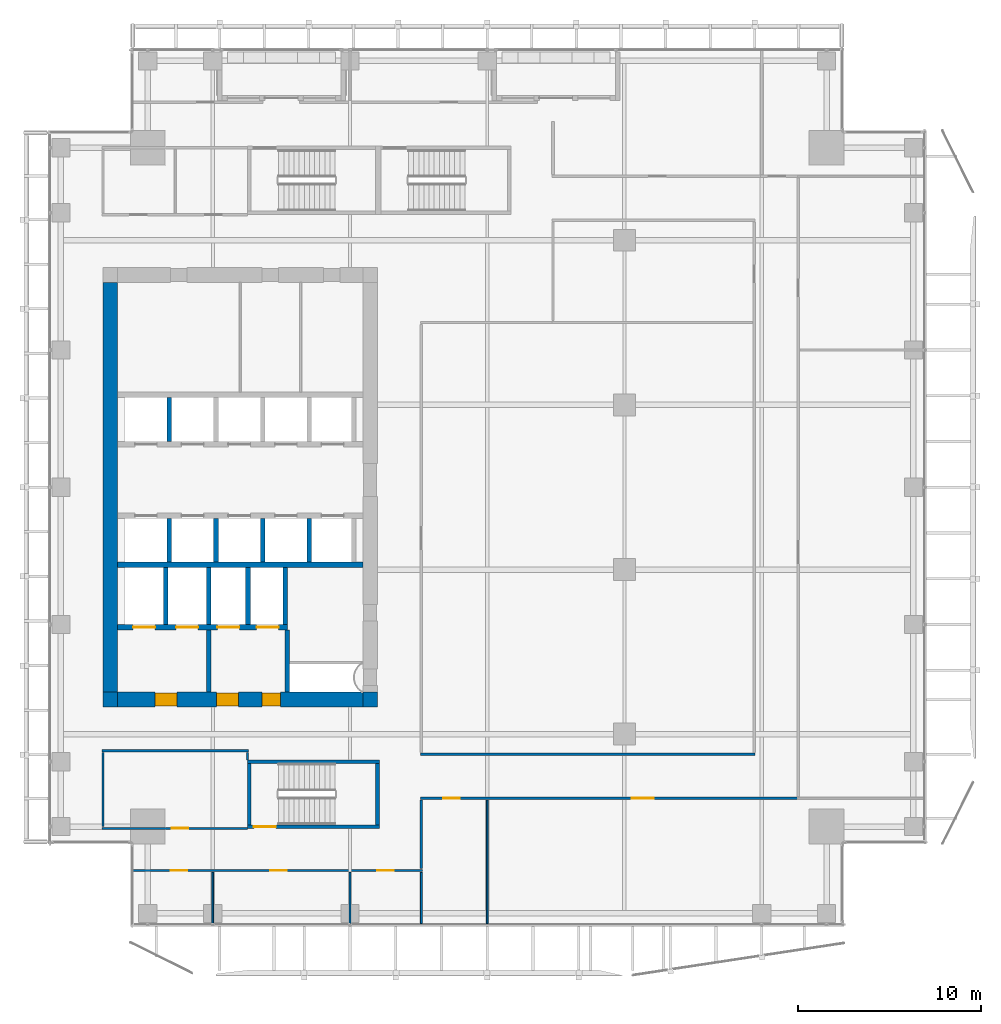
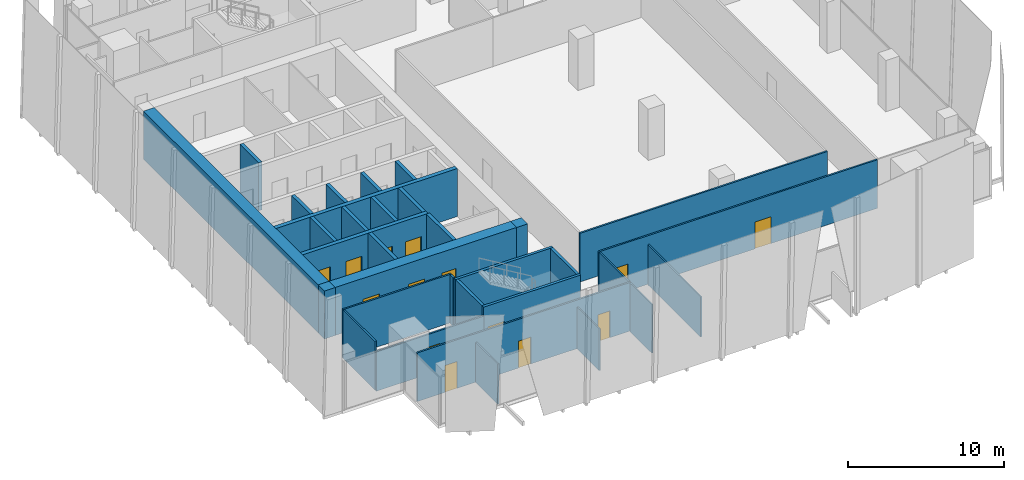
# One storey, part 28 of 35: 33 walls, 14 doors, 14 openings.
"""IFC4 building model written with IfcOpenShell, lengths in metres."""

from ifc_helpers import new_model, si_unit, direction, frame, frame_2d, origin, place, context, subcontext, project, spatial, rectangle, extrude, source, transform, mapped, material, layer, layer_set, type_object, element, fill, save


model = new_model("IFC4")

# Units and contexts
model_context = context("Model", 3, precision=1e-05, world=origin(), true_north=direction((0.0, 1.0)))
body_context = subcontext(model_context, "Body", "Model", "MODEL_VIEW")
ifc_project = project(units=[si_unit("LENGTHUNIT", "METRE"), si_unit("AREAUNIT", "SQUARE_METRE"), si_unit("VOLUMEUNIT", "CUBIC_METRE"), si_unit("PLANEANGLEUNIT", "RADIAN"), si_unit("MASSUNIT", "GRAM", prefix="KILO")], contexts=[model_context])

# Site, building, storey
site_placement = place(None, origin())
site = spatial("IfcSite", under=ifc_project, at=site_placement, CompositionType="ELEMENT")
building_placement = place(site_placement, origin())
building = spatial("IfcBuilding", under=site, at=building_placement, Name="Khomas Fold Tower", CompositionType="ELEMENT")
storey_placement = place(building_placement, frame((0.0, 0.0, 212.699951171875)))
storey = spatial("IfcBuildingStorey", under=building, at=storey_placement, Name="L47", CompositionType="ELEMENT", Elevation=212.699951171875)

# Wall, openings, doors
ifc_material_1 = material(Name="Concrete C60/75", Category="concrete")
ifc_layer_1 = layer(ifc_material_1, 0.800048828125)
ifc_layer_set_1 = layer_set([ifc_layer_1], Name="Concrete C60/75")
wall_type_1 = type_object("IfcWallType", Name="Core wall 800", PredefinedType="SHEAR", material=ifc_layer_set_1)
shared_shape_1 = source(origin(), body_context, "Body", "SweptSolid", [
    extrude(rectangle(XDim=13.39990234375, YDim=0.800048828125, at=frame_2d((6.699951171875, 0.0))), origin(), (0.0, 0.0, 1.0), 3.75),
])
wall_1_placement = place(storey_placement, frame((6.800048828125, 15.39990234375, 0.0), z_axis=(0.0, 0.0, 1.0), x_axis=(1.0, 0.0, 0.0)))
wall_1 = element("IfcWall", 1, at=wall_1_placement, inside=storey, type_object=wall_type_1, Name="Core wall CW-U-S-L35", PredefinedType="SHEAR", context=body_context, shape_type="MappedRepresentation", body=[
    mapped(shared_shape_1, transform((0.0, 0.0, 0.0))),
])
shared_shape_2 = source(origin(), body_context, "Body", "SweptSolid", [
    extrude(rectangle(XDim=1.199951171875, YDim=2.10009765625, at=frame_2d((0.60009765625, 1.050048828125))), frame((0.0, 0.409912109375, 0.0), z_axis=(0.0, -1.0, 0.0), x_axis=(1.0, 0.0, 0.0)), (0.0, 0.0, 1.0), 0.820068359375),
])
opening_1_placement = place(wall_1_placement, frame((5.39990234375, 0.0, 0.0)))
opening_1 = element("IfcOpeningElement", 2, at=opening_1_placement, cuts=wall_1, Name="Opening 0009", PredefinedType="OPENING", context=body_context, shape_type="MappedRepresentation", body=[
    mapped(shared_shape_2, transform((0.0, 0.0, 0.0))),
])
opening_2_placement = place(wall_1_placement, frame((2.050048828125, 0.0, 0.0)))
opening_2 = element("IfcOpeningElement", 3, at=opening_2_placement, cuts=wall_1, Name="Opening 0009", PredefinedType="OPENING", context=body_context, shape_type="MappedRepresentation", body=[
    mapped(shared_shape_2, transform((0.0, 0.0, 0.0))),
])
shared_shape_3 = source(origin(), body_context, "Body", "SweptSolid", [
    extrude(rectangle(XDim=1.0, YDim=2.10009765625, at=frame_2d((0.5, 1.050048828125))), frame((0.0, 0.409912109375, 0.0), z_axis=(0.0, -1.0, 0.0), x_axis=(1.0, 0.0, 0.0)), (0.0, 0.0, 1.0), 0.820068359375),
])
opening_3_placement = place(wall_1_placement, frame((7.89990234375, 0.0, 0.0)))
opening_3 = element("IfcOpeningElement", 4, at=opening_3_placement, cuts=wall_1, Name="Opening 0010", PredefinedType="OPENING", context=body_context, shape_type="MappedRepresentation", body=[
    mapped(shared_shape_3, transform((0.0, 0.0, 0.0))),
])
ifc_material_2 = material(Name="Steel door leaf", Category="steel")
door_type_1 = type_object("IfcDoorType", Name="Lobby door 1200x2100 right-hand", OperationType="SINGLE_SWING_RIGHT", PredefinedType="DOOR", material=ifc_material_2)
shared_shape_4 = source(origin(), body_context, "Body", "SweptSolid", [
    extrude(rectangle(XDim=1.199951171875, YDim=2.10009765625, at=frame_2d((0.60009765625, 1.050048828125))), frame((0.0, 0.35009765625, 0.0), z_axis=(0.0, -1.0, 0.0), x_axis=(1.0, 0.0, 0.0)), (0.0, 0.0, 1.0), 0.699951171875),
])
door_1_placement = place(opening_1_placement, origin())
door_1 = element("IfcDoor", 5, at=door_1_placement, inside=storey, type_object=door_type_1, Name="Lobby door", OperationType="SINGLE_SWING_RIGHT", OverallHeight=2.10009765625, OverallWidth=1.199951171875, PredefinedType="DOOR", context=body_context, shape_type="MappedRepresentation", body=[
    mapped(shared_shape_4, transform((0.0, 0.0, 0.0))),
])
fill(opening_1, door_1)
door_2_placement = place(opening_2_placement, origin())
door_2 = element("IfcDoor", 6, at=door_2_placement, inside=storey, type_object=door_type_1, Name="Lobby door", OperationType="SINGLE_SWING_RIGHT", OverallHeight=2.10009765625, OverallWidth=1.199951171875, PredefinedType="DOOR", context=body_context, shape_type="MappedRepresentation", body=[
    mapped(shared_shape_4, transform((0.0, 0.0, 0.0))),
])
fill(opening_2, door_2)
ifc_material_3 = material(Name="Steel door leaf", Category="steel")
door_type_2 = type_object("IfcDoorType", Name="Stair door 1000x2100 right-hand", OperationType="SINGLE_SWING_RIGHT", PredefinedType="DOOR", material=ifc_material_3)
shared_shape_5 = source(origin(), body_context, "Body", "SweptSolid", [
    extrude(rectangle(XDim=1.0, YDim=2.10009765625, at=frame_2d((0.5, 1.050048828125))), frame((0.0, 0.35009765625, 0.0), z_axis=(0.0, -1.0, 0.0), x_axis=(1.0, 0.0, 0.0)), (0.0, 0.0, 1.0), 0.699951171875),
])
door_3_placement = place(opening_3_placement, origin())
door_3 = element("IfcDoor", 7, at=door_3_placement, inside=storey, type_object=door_type_2, Name="Stair door", OperationType="SINGLE_SWING_RIGHT", OverallHeight=2.10009765625, OverallWidth=1.0, PredefinedType="DOOR", context=body_context, shape_type="MappedRepresentation", body=[
    mapped(shared_shape_5, transform((0.0, 0.0, 0.0))),
])
fill(opening_3, door_3)

# Walls
ifc_material_4 = material(Name="Concrete C60/75", Category="concrete")
ifc_layer_2 = layer(ifc_material_4, 0.800048828125)
ifc_layer_set_2 = layer_set([ifc_layer_2], Name="Concrete C60/75")
wall_type_2 = type_object("IfcWallType", Name="Core corner wall 800", PredefinedType="SHEAR", material=ifc_layer_set_2)
shared_shape_6 = source(origin(), body_context, "Body", "SweptSolid", [
    extrude(rectangle(XDim=0.800048828125, YDim=0.800048828125, at=frame_2d((0.39990234375, 0.0))), origin(), (0.0, 0.0, 1.0), 3.75),
])
for number, where, z_axis, x_axis, name in (
    (8, (20.199951171875, 15.39990234375, 0.0), (0.0, 0.0, 1.0), (1.0, 0.0, 0.0), "Core wall CW-U-SE-L35"),
    (9, (6.0, 15.39990234375, 0.0), (0.0, 0.0, 1.0), (1.0, 0.0, 0.0), "Core wall CW-U-SW-L35"),
):
    element("IfcWall", number, at=place(storey_placement, frame(where, z_axis=z_axis, x_axis=x_axis)), inside=storey, type_object=wall_type_2, Name=name, PredefinedType="SHEAR", context=body_context, shape_type="MappedRepresentation", body=[
        mapped(shared_shape_6, transform((0.0, 0.0, 0.0))),
    ])
shared_shape_7 = source(origin(), body_context, "Body", "SweptSolid", [
    extrude(rectangle(XDim=22.39990234375, YDim=0.800048828125, at=frame_2d((11.199951171875, 0.0))), origin(), (0.0, 0.0, 1.0), 3.75),
])
wall_2_placement = place(storey_placement, frame((6.39990234375, 15.800048828125, 0.0), z_axis=(0.0, 0.0, 1.0), x_axis=(0.0, 1.0, 0.0)))
element("IfcWall", 10, at=wall_2_placement, inside=storey, type_object=wall_type_1, Name="Core wall CW-U-W-L35", PredefinedType="SHEAR", context=body_context, shape_type="MappedRepresentation", body=[
    mapped(shared_shape_7, transform((0.0, 0.0, 0.0))),
])
ifc_material_5 = material(Name="Concrete C50/60", Category="concrete")
ifc_layer_3 = layer(ifc_material_5, 0.199951171875)
ifc_layer_set_3 = layer_set([ifc_layer_3], Name="Concrete C50/60")
wall_type_3 = type_object("IfcWallType", Name="Stair wall 200", PredefinedType="SHEAR", material=ifc_layer_set_3)
shared_shape_8 = source(origin(), body_context, "Body", "SweptSolid", [
    extrude(rectangle(XDim=7.2001953125, YDim=0.199951171875, at=frame_2d((3.60009765625, 0.0))), origin(), (0.0, 0.0, 1.0), 3.75),
])
wall_3_placement = place(storey_placement, frame((13.89990234375, 12.0, 0.0), z_axis=(0.0, 0.0, 1.0), x_axis=(1.0, 0.0, 0.0)))
element("IfcWall", 11, at=wall_3_placement, inside=storey, type_object=wall_type_3, Name="Stair wall SW-ST2-NH", PredefinedType="SHEAR", context=body_context, shape_type="MappedRepresentation", body=[
    mapped(shared_shape_8, transform((0.0, 0.0, 0.0))),
])

# Wall, opening, door
wall_4_placement = place(storey_placement, frame((13.89990234375, 8.449951171875, 0.0), z_axis=(0.0, 0.0, 1.0), x_axis=(1.0, 0.0, 0.0)))
wall_4 = element("IfcWall", 12, at=wall_4_placement, inside=storey, type_object=wall_type_3, Name="Stair wall SW-ST2-S", PredefinedType="SHEAR", context=body_context, shape_type="MappedRepresentation", body=[
    mapped(shared_shape_8, transform((0.0, 0.0, 0.0))),
])
shared_shape_9 = source(origin(), body_context, "Body", "SweptSolid", [
    extrude(rectangle(XDim=1.199951171875, YDim=2.10009765625, at=frame_2d((0.60009765625, 1.050048828125))), frame((0.0, 0.10986328125, 0.0), z_axis=(0.0, -1.0, 0.0), x_axis=(1.0, 0.0, 0.0)), (0.0, 0.0, 1.0), 0.219970703125),
])
opening_4_placement = place(wall_4_placement, frame((0.35009765625, 0.0, 0.0)))
opening_4 = element("IfcOpeningElement", 13, at=opening_4_placement, cuts=wall_4, Name="Opening SD-ST2", PredefinedType="OPENING", context=body_context, shape_type="MappedRepresentation", body=[
    mapped(shared_shape_9, transform((0.0, 0.0, 0.0))),
])
ifc_material_6 = material(Name="Steel door leaf", Category="steel")
door_type_3 = type_object("IfcDoorType", Name="Stair door 1200x2100 right-hand", OperationType="SINGLE_SWING_RIGHT", PredefinedType="DOOR", material=ifc_material_6)
shared_shape_10 = source(origin(), body_context, "Body", "SweptSolid", [
    extrude(rectangle(XDim=1.199951171875, YDim=2.10009765625, at=frame_2d((0.60009765625, 1.050048828125))), frame((0.0, 0.02490234375, 0.0), z_axis=(0.0, -1.0, 0.0), x_axis=(1.0, 0.0, 0.0)), (0.0, 0.0, 1.0), 0.050048828125),
])
door_4_placement = place(opening_4_placement, origin())
door_4 = element("IfcDoor", 14, at=door_4_placement, inside=storey, type_object=door_type_3, Name="Stair door", OperationType="SINGLE_SWING_RIGHT", OverallHeight=2.10009765625, OverallWidth=1.199951171875, PredefinedType="DOOR", context=body_context, shape_type="MappedRepresentation", body=[
    mapped(shared_shape_10, transform((0.0, 0.0, 0.0))),
])
fill(opening_4, door_4)

# Walls
shared_shape_11 = source(origin(), body_context, "Body", "SweptSolid", [
    extrude(rectangle(XDim=3.349853515625, YDim=0.199951171875, at=frame_2d((1.6748046875, 0.0))), origin(), (0.0, 0.0, 1.0), 3.75),
])
for number, where, z_axis, x_axis, name in (
    (15, (21.0, 8.550048828125, 0.0), (0.0, 0.0, 1.0), (0.0, 1.0, 0.0), "Stair wall SW-ST2-E"),
    (16, (14.0, 8.550048828125, 0.0), (0.0, 0.0, 1.0), (0.0, 1.0, 0.0), "Stair wall SW-ST2-W"),
):
    element("IfcWall", number, at=place(storey_placement, frame(where, z_axis=z_axis, x_axis=x_axis)), inside=storey, type_object=wall_type_3, Name=name, PredefinedType="SHEAR", context=body_context, shape_type="MappedRepresentation", body=[
        mapped(shared_shape_11, transform((0.0, 0.0, 0.0))),
    ])
ifc_material_7 = material(Name="Concrete C50/60", Category="concrete")
ifc_layer_4 = layer(ifc_material_7, 0.300048828125)
ifc_layer_set_4 = layer_set([ifc_layer_4], Name="Concrete C50/60")
wall_type_4 = type_object("IfcWallType", Name="Shaft wall 300", PredefinedType="STANDARD", material=ifc_layer_set_4)
shared_shape_12 = source(origin(), body_context, "Body", "SweptSolid", [
    extrude(rectangle(XDim=13.39990234375, YDim=0.300048828125, at=frame_2d((6.699951171875, 0.0))), origin(), (0.0, 0.0, 1.0), 3.75),
])
wall_5_placement = place(storey_placement, frame((6.800048828125, 22.75, 0.0), z_axis=(0.0, 0.0, 1.0), x_axis=(1.0, 0.0, 0.0)))
element("IfcWall", 17, at=wall_5_placement, inside=storey, type_object=wall_type_4, Name="Core wall SW-FS-B", PredefinedType="STANDARD", context=body_context, shape_type="MappedRepresentation", body=[
    mapped(shared_shape_12, transform((0.0, 0.0, 0.0))),
])

# Wall, openings, doors
shared_shape_13 = source(origin(), body_context, "Body", "SweptSolid", [
    extrude(rectangle(XDim=9.27490234375, YDim=0.300048828125, at=frame_2d((4.637451171875, 0.0))), origin(), (0.0, 0.0, 1.0), 3.75),
])
wall_6_placement = place(storey_placement, frame((6.800048828125, 19.35009765625, 0.0), z_axis=(0.0, 0.0, 1.0), x_axis=(1.0, 0.0, 0.0)))
wall_6 = element("IfcWall", 18, at=wall_6_placement, inside=storey, type_object=wall_type_4, Name="Core wall SW-FS-F", PredefinedType="STANDARD", context=body_context, shape_type="MappedRepresentation", body=[
    mapped(shared_shape_13, transform((0.0, 0.0, 0.0))),
])
shared_shape_14 = source(origin(), body_context, "Body", "SweptSolid", [
    extrude(rectangle(XDim=1.199951171875, YDim=2.10009765625, at=frame_2d((0.60009765625, 1.050048828125))), frame((0.0, 0.159912109375, 0.0), z_axis=(0.0, -1.0, 0.0), x_axis=(1.0, 0.0, 0.0)), (0.0, 0.0, 1.0), 0.320068359375),
])
opening_5_placement = place(wall_6_placement, frame((0.85009765625, 0.0, 0.0)))
opening_5 = element("IfcOpeningElement", 19, at=opening_5_placement, cuts=wall_6, Name="Opening LD-SV1", PredefinedType="OPENING", context=body_context, shape_type="MappedRepresentation", body=[
    mapped(shared_shape_14, transform((0.0, 0.0, 0.0))),
])
opening_6_placement = place(wall_6_placement, frame((3.199951171875, 0.0, 0.0)))
opening_6 = element("IfcOpeningElement", 20, at=opening_6_placement, cuts=wall_6, Name="Opening LD-SV2", PredefinedType="OPENING", context=body_context, shape_type="MappedRepresentation", body=[
    mapped(shared_shape_14, transform((0.0, 0.0, 0.0))),
])
opening_7_placement = place(wall_6_placement, frame((5.449951171875, 0.0, 0.0)))
opening_7 = element("IfcOpeningElement", 21, at=opening_7_placement, cuts=wall_6, Name="Opening LD-FF1", PredefinedType="OPENING", context=body_context, shape_type="MappedRepresentation", body=[
    mapped(shared_shape_14, transform((0.0, 0.0, 0.0))),
])
opening_8_placement = place(wall_6_placement, frame((7.60009765625, 0.0, 0.0)))
opening_8 = element("IfcOpeningElement", 22, at=opening_8_placement, cuts=wall_6, Name="Opening LD-FF2", PredefinedType="OPENING", context=body_context, shape_type="MappedRepresentation", body=[
    mapped(shared_shape_14, transform((0.0, 0.0, 0.0))),
])
ifc_material_8 = material(Name="Steel door leaf", Category="steel")
door_type_4 = type_object("IfcDoorType", Name="Landing door 1200x2100", OperationType="DOUBLE_DOOR_SLIDING", PredefinedType="DOOR", material=ifc_material_8)
door_5_placement = place(opening_5_placement, origin())
door_5 = element("IfcDoor", 23, at=door_5_placement, inside=storey, type_object=door_type_4, Name="Lift landing door", OperationType="DOUBLE_DOOR_SLIDING", OverallHeight=2.10009765625, OverallWidth=1.199951171875, PredefinedType="DOOR", context=body_context, shape_type="MappedRepresentation", body=[
    mapped(shared_shape_10, transform((0.0, 0.0, 0.0))),
])
fill(opening_5, door_5)
door_6_placement = place(opening_6_placement, origin())
door_6 = element("IfcDoor", 24, at=door_6_placement, inside=storey, type_object=door_type_4, Name="Lift landing door", OperationType="DOUBLE_DOOR_SLIDING", OverallHeight=2.10009765625, OverallWidth=1.199951171875, PredefinedType="DOOR", context=body_context, shape_type="MappedRepresentation", body=[
    mapped(shared_shape_10, transform((0.0, 0.0, 0.0))),
])
fill(opening_6, door_6)
door_7_placement = place(opening_7_placement, origin())
door_7 = element("IfcDoor", 25, at=door_7_placement, inside=storey, type_object=door_type_4, Name="Lift landing door", OperationType="DOUBLE_DOOR_SLIDING", OverallHeight=2.10009765625, OverallWidth=1.199951171875, PredefinedType="DOOR", context=body_context, shape_type="MappedRepresentation", body=[
    mapped(shared_shape_10, transform((0.0, 0.0, 0.0))),
])
fill(opening_7, door_7)
door_8_placement = place(opening_8_placement, origin())
door_8 = element("IfcDoor", 26, at=door_8_placement, inside=storey, type_object=door_type_4, Name="Lift landing door", OperationType="DOUBLE_DOOR_SLIDING", OverallHeight=2.10009765625, OverallWidth=1.199951171875, PredefinedType="DOOR", context=body_context, shape_type="MappedRepresentation", body=[
    mapped(shared_shape_10, transform((0.0, 0.0, 0.0))),
])
fill(opening_8, door_8)

# Walls
ifc_material_9 = material(Name="Concrete C50/60", Category="concrete")
ifc_layer_5 = layer(ifc_material_9, 0.25)
ifc_layer_set_5 = layer_set([ifc_layer_5], Name="Concrete C50/60")
wall_type_5 = type_object("IfcWallType", Name="Shaft wall 250", PredefinedType="STANDARD", material=ifc_layer_set_5)
shared_shape_15 = source(origin(), body_context, "Body", "SweptSolid", [
    extrude(rectangle(XDim=3.10009765625, YDim=0.25, at=frame_2d((1.550048828125, 0.0))), origin(), (0.0, 0.0, 1.0), 3.75),
])
for number, where, z_axis, x_axis, name in (
    (27, (9.425048828125, 19.5, 0.0), (0.0, 0.0, 1.0), (0.0, 1.0, 0.0), "Core wall SW-FS-P1"),
    (28, (11.77490234375, 19.5, 0.0), (0.0, 0.0, 1.0), (0.0, 1.0, 0.0), "Core wall SW-FS-P2"),
    (29, (13.925048828125, 19.5, 0.0), (0.0, 0.0, 1.0), (0.0, 1.0, 0.0), "Core wall SW-FS-P3"),
    (30, (15.949951171875, 19.5, 0.0), (0.0, 0.0, 1.0), (0.0, 1.0, 0.0), "Core wall SW-FS-PE"),
):
    element("IfcWall", number, at=place(storey_placement, frame(where, z_axis=z_axis, x_axis=x_axis)), inside=storey, type_object=wall_type_5, Name=name, PredefinedType="STANDARD", context=body_context, shape_type="MappedRepresentation", body=[
        mapped(shared_shape_15, transform((0.0, 0.0, 0.0))),
    ])
shared_shape_16 = source(origin(), body_context, "Body", "SweptSolid", [
    extrude(rectangle(XDim=2.39990234375, YDim=0.25, at=frame_2d((1.199951171875, 0.0))), origin(), (0.0, 0.0, 1.0), 3.75),
])
wall_7_placement = place(storey_placement, frame((9.625, 29.5, 0.0), z_axis=(0.0, 0.0, 1.0), x_axis=(0.0, 1.0, 0.0)))
element("IfcWall", 31, at=wall_7_placement, inside=storey, type_object=wall_type_5, Name="Core wall SW-HRN-P1", PredefinedType="STANDARD", context=body_context, shape_type="MappedRepresentation", body=[
    mapped(shared_shape_16, transform((0.0, 0.0, 0.0))),
])
shared_shape_17 = source(origin(), body_context, "Body", "SweptSolid", [
    extrude(rectangle(XDim=2.400146484375, YDim=0.25, at=frame_2d((1.2001953125, 0.0))), origin(), (0.0, 0.0, 1.0), 3.75),
])
for number, where, z_axis, x_axis, name in (
    (32, (17.27490234375, 22.89990234375, 0.0), (0.0, 0.0, 1.0), (0.0, 1.0, 0.0), "Core wall SW-HRS-MR-P1"),
    (33, (9.625, 22.89990234375, 0.0), (0.0, 0.0, 1.0), (0.0, 1.0, 0.0), "Core wall SW-HRS-P1"),
    (34, (12.175048828125, 22.89990234375, 0.0), (0.0, 0.0, 1.0), (0.0, 1.0, 0.0), "Core wall SW-HRS-P2"),
    (35, (14.72509765625, 22.89990234375, 0.0), (0.0, 0.0, 1.0), (0.0, 1.0, 0.0), "Core wall SW-HRS-PE"),
):
    element("IfcWall", number, at=place(storey_placement, frame(where, z_axis=z_axis, x_axis=x_axis)), inside=storey, type_object=wall_type_5, Name=name, PredefinedType="STANDARD", context=body_context, shape_type="MappedRepresentation", body=[
        mapped(shared_shape_17, transform((0.0, 0.0, 0.0))),
    ])
ifc_material_10 = material(Name="Concrete C50/60", Category="concrete")
ifc_layer_6 = layer(ifc_material_10, 0.25)
ifc_layer_set_6 = layer_set([ifc_layer_6], Name="Concrete C50/60")
wall_type_6 = type_object("IfcWallType", Name="Lobby wall 250", PredefinedType="STANDARD", material=ifc_layer_set_6)
shared_shape_18 = source(origin(), body_context, "Body", "SweptSolid", [
    extrude(rectangle(XDim=3.39990234375, YDim=0.25, at=frame_2d((1.699951171875, 0.0))), origin(), (0.0, 0.0, 1.0), 3.75),
])
for number, where, z_axis, x_axis, name in (
    (36, (16.074951171875, 15.800048828125, 0.0), (0.0, 0.0, 1.0), (0.0, 1.0, 0.0), "Core wall SW-FS-LOB-E"),
    (37, (11.77490234375, 15.800048828125, 0.0), (0.0, 0.0, 1.0), (0.0, 1.0, 0.0), "Core wall SW-FS-SEP"),
):
    element("IfcWall", number, at=place(storey_placement, frame(where, z_axis=z_axis, x_axis=x_axis)), inside=storey, type_object=wall_type_6, Name=name, PredefinedType="STANDARD", context=body_context, shape_type="MappedRepresentation", body=[
        mapped(shared_shape_18, transform((0.0, 0.0, 0.0))),
    ])
ifc_material_11 = material(Name="Plasterboard partition")
ifc_layer_7 = layer(ifc_material_11, 0.125)
ifc_layer_set_7 = layer_set([ifc_layer_7], Name="Plasterboard partition")
wall_type_7 = type_object("IfcWallType", Name="Partition PW2 125", PredefinedType="PARTITIONING", material=ifc_layer_set_7)
shared_shape_19 = source(origin(), body_context, "Body", "SweptSolid", [
    extrude(rectangle(XDim=4.050048828125, YDim=0.125, at=frame_2d((2.02490234375, 0.0))), origin(), (0.0, 0.0, 1.0), 3.800048828125),
])
wall_8_placement = place(storey_placement, frame((6.0, 8.449951171875, 0.0), z_axis=(0.0, 0.0, 1.0), x_axis=(0.0, 1.0, 0.0)))
element("IfcWall", 38, at=wall_8_placement, inside=storey, type_object=wall_type_7, Name="Partition", PredefinedType="PARTITIONING", context=body_context, shape_type="MappedRepresentation", body=[
    mapped(shared_shape_19, transform((0.0, 0.0, 0.0))),
])
shared_shape_20 = source(origin(), body_context, "Body", "SweptSolid", [
    extrude(rectangle(XDim=0.39990234375, YDim=0.125, at=frame_2d((0.199951171875, 0.0))), origin(), (0.0, 0.0, 1.0), 3.800048828125),
])
wall_9_placement = place(storey_placement, frame((13.89990234375, 12.10009765625, 0.0), z_axis=(0.0, 0.0, 1.0), x_axis=(0.0, 1.0, 0.0)))
element("IfcWall", 39, at=wall_9_placement, inside=storey, type_object=wall_type_7, Name="Partition", PredefinedType="PARTITIONING", context=body_context, shape_type="MappedRepresentation", body=[
    mapped(shared_shape_20, transform((0.0, 0.0, 0.0))),
])
shared_shape_21 = source(origin(), body_context, "Body", "SweptSolid", [
    extrude(rectangle(XDim=8.0, YDim=0.125, at=frame_2d((4.0, 0.0))), origin(), (0.0, 0.0, 1.0), 3.800048828125),
])
wall_10_placement = place(storey_placement, frame((5.949951171875, 12.60009765625, 0.0), z_axis=(0.0, 0.0, 1.0), x_axis=(1.0, 0.0, 0.0)))
element("IfcWall", 40, at=wall_10_placement, inside=storey, type_object=wall_type_7, Name="Partition", PredefinedType="PARTITIONING", context=body_context, shape_type="MappedRepresentation", body=[
    mapped(shared_shape_21, transform((0.0, 0.0, 0.0))),
])
shared_shape_22 = source(origin(), body_context, "Body", "SweptSolid", [
    extrude(rectangle(XDim=18.2998046875, YDim=0.125, at=frame_2d((9.14990234375, 0.0))), origin(), (0.0, 0.0, 1.0), 3.800048828125),
])
wall_11_placement = place(storey_placement, frame((23.35009765625, 12.39990234375, 0.0), z_axis=(0.0, 0.0, 1.0), x_axis=(1.0, 0.0, 0.0)))
element("IfcWall", 41, at=wall_11_placement, inside=storey, type_object=wall_type_7, Name="Partition", PredefinedType="PARTITIONING", context=body_context, shape_type="MappedRepresentation", body=[
    mapped(shared_shape_22, transform((0.0, 0.0, 0.0))),
])
ifc_material_12 = material(Name="Plasterboard partition")
ifc_layer_8 = layer(ifc_material_12, 0.10009765625)
ifc_layer_set_8 = layer_set([ifc_layer_8], Name="Plasterboard partition")
wall_type_8 = type_object("IfcWallType", Name="Partition PW1 100", PredefinedType="PARTITIONING", material=ifc_layer_set_8)
shared_shape_23 = source(origin(), body_context, "Body", "SweptSolid", [
    extrude(rectangle(XDim=2.800048828125, YDim=0.10009765625, at=frame_2d((1.39990234375, 0.0))), origin(), (0.0, 0.0, 1.0), 3.800048828125),
])
wall_12_placement = place(storey_placement, frame((23.39990234375, 3.14990234375, 0.0), z_axis=(0.0, 0.0, 1.0), x_axis=(0.0, 1.0, 0.0)))
element("IfcWall", 42, at=wall_12_placement, inside=storey, type_object=wall_type_8, Name="Partition", PredefinedType="PARTITIONING", context=body_context, shape_type="MappedRepresentation", body=[
    mapped(shared_shape_23, transform((0.0, 0.0, 0.0))),
])

# Wall, openings, doors
shared_shape_24 = source(origin(), body_context, "Body", "SweptSolid", [
    extrude(rectangle(XDim=15.800048828125, YDim=0.125, at=frame_2d((7.89990234375, 0.0))), origin(), (0.0, 0.0, 1.0), 3.800048828125),
])
wall_13_placement = place(storey_placement, frame((7.64990234375, 6.050048828125, 0.0), z_axis=(0.0, 0.0, 1.0), x_axis=(1.0, 0.0, 0.0)))
wall_13 = element("IfcWall", 43, at=wall_13_placement, inside=storey, type_object=wall_type_7, Name="Partition", PredefinedType="PARTITIONING", context=body_context, shape_type="MappedRepresentation", body=[
    mapped(shared_shape_24, transform((0.0, 0.0, 0.0))),
])
shared_shape_25 = source(origin(), body_context, "Body", "SweptSolid", [
    extrude(rectangle(XDim=0.89990234375, YDim=2.10009765625, at=frame_2d((0.449951171875, 1.050048828125))), frame((0.0, 0.072509765625, 0.0), z_axis=(0.0, -1.0, 0.0), x_axis=(1.0, 0.0, 0.0)), (0.0, 0.0, 1.0), 0.14501953125),
])
opening_9_placement = place(wall_13_placement, frame((2.050048828125, 0.0, 0.0)))
opening_9 = element("IfcOpeningElement", 44, at=opening_9_placement, cuts=wall_13, Name="Opening 0008", PredefinedType="OPENING", context=body_context, shape_type="MappedRepresentation", body=[
    mapped(shared_shape_25, transform((0.0, 0.0, 0.0))),
])
opening_10_placement = place(wall_13_placement, frame((7.5, 0.0, 0.0)))
opening_10 = element("IfcOpeningElement", 45, at=opening_10_placement, cuts=wall_13, Name="Opening 0007", PredefinedType="OPENING", context=body_context, shape_type="MappedRepresentation", body=[
    mapped(shared_shape_25, transform((0.0, 0.0, 0.0))),
])
opening_11_placement = place(wall_13_placement, frame((13.35009765625, 0.0, 0.0)))
opening_11 = element("IfcOpeningElement", 46, at=opening_11_placement, cuts=wall_13, Name="Opening 0008", PredefinedType="OPENING", context=body_context, shape_type="MappedRepresentation", body=[
    mapped(shared_shape_25, transform((0.0, 0.0, 0.0))),
])
ifc_material_13 = material(Name="Timber door leaf", Category="wood")
door_type_5 = type_object("IfcDoorType", Name="Door 900x2100 right-hand", OperationType="SINGLE_SWING_RIGHT", PredefinedType="DOOR", material=ifc_material_13)
shared_shape_26 = source(origin(), body_context, "Body", "SweptSolid", [
    extrude(rectangle(XDim=0.89990234375, YDim=2.10009765625, at=frame_2d((0.449951171875, 1.050048828125))), frame((0.0, 0.02490234375, 0.0), z_axis=(0.0, -1.0, 0.0), x_axis=(1.0, 0.0, 0.0)), (0.0, 0.0, 1.0), 0.050048828125),
])
door_9_placement = place(opening_9_placement, origin())
door_9 = element("IfcDoor", 47, at=door_9_placement, inside=storey, type_object=door_type_5, Name="Door", OperationType="SINGLE_SWING_RIGHT", OverallHeight=2.10009765625, OverallWidth=0.89990234375, PredefinedType="DOOR", context=body_context, shape_type="MappedRepresentation", body=[
    mapped(shared_shape_26, transform((0.0, 0.0, 0.0))),
])
fill(opening_9, door_9)
ifc_material_14 = material(Name="Timber door leaf", Category="wood")
door_type_6 = type_object("IfcDoorType", Name="Door 900x2100 left-hand", OperationType="SINGLE_SWING_LEFT", PredefinedType="DOOR", material=ifc_material_14)
door_10_placement = place(opening_10_placement, origin())
door_10 = element("IfcDoor", 48, at=door_10_placement, inside=storey, type_object=door_type_6, Name="Door", OperationType="SINGLE_SWING_LEFT", OverallHeight=2.10009765625, OverallWidth=0.89990234375, PredefinedType="DOOR", context=body_context, shape_type="MappedRepresentation", body=[
    mapped(shared_shape_26, transform((0.0, 0.0, 0.0))),
])
fill(opening_10, door_10)
door_11_placement = place(opening_11_placement, origin())
door_11 = element("IfcDoor", 49, at=door_11_placement, inside=storey, type_object=door_type_5, Name="Door", OperationType="SINGLE_SWING_RIGHT", OverallHeight=2.10009765625, OverallWidth=0.89990234375, PredefinedType="DOOR", context=body_context, shape_type="MappedRepresentation", body=[
    mapped(shared_shape_26, transform((0.0, 0.0, 0.0))),
])
fill(opening_11, door_11)

# Wall
shared_shape_27 = source(origin(), body_context, "Body", "SweptSolid", [
    extrude(rectangle(XDim=3.75, YDim=0.125, at=frame_2d((1.875, 0.0))), origin(), (0.0, 0.0, 1.0), 3.800048828125),
])
wall_14_placement = place(storey_placement, frame((23.39990234375, 6.14990234375, 0.0), z_axis=(0.0, 0.0, 1.0), x_axis=(0.0, 1.0, 0.0)))
element("IfcWall", 50, at=wall_14_placement, inside=storey, type_object=wall_type_7, Name="Partition", PredefinedType="PARTITIONING", context=body_context, shape_type="MappedRepresentation", body=[
    mapped(shared_shape_27, transform((0.0, 0.0, 0.0))),
])

# Wall, openings, doors
shared_shape_28 = source(origin(), body_context, "Body", "SweptSolid", [
    extrude(rectangle(XDim=20.599853515625, YDim=0.125, at=frame_2d((10.2998046875, 0.0))), origin(), (0.0, 0.0, 1.0), 3.800048828125),
])
wall_15_placement = place(storey_placement, frame((23.35009765625, 10.0, 0.0), z_axis=(0.0, 0.0, 1.0), x_axis=(1.0, 0.0, 0.0)))
wall_15 = element("IfcWall", 51, at=wall_15_placement, inside=storey, type_object=wall_type_7, Name="Partition", PredefinedType="PARTITIONING", context=body_context, shape_type="MappedRepresentation", body=[
    mapped(shared_shape_28, transform((0.0, 0.0, 0.0))),
])
opening_12_placement = place(wall_15_placement, frame((1.25, 0.0, 0.0)))
opening_12 = element("IfcOpeningElement", 52, at=opening_12_placement, cuts=wall_15, Name="Opening 0007", PredefinedType="OPENING", context=body_context, shape_type="MappedRepresentation", body=[
    mapped(shared_shape_25, transform((0.0, 0.0, 0.0))),
])
shared_shape_29 = source(origin(), body_context, "Body", "SweptSolid", [
    extrude(rectangle(XDim=1.199951171875, YDim=2.10009765625, at=frame_2d((0.60009765625, 1.050048828125))), frame((0.0, 0.072509765625, 0.0), z_axis=(0.0, -1.0, 0.0), x_axis=(1.0, 0.0, 0.0)), (0.0, 0.0, 1.0), 0.14501953125),
])
opening_13_placement = place(wall_15_placement, frame((11.550048828125, 0.0, 0.0)))
opening_13 = element("IfcOpeningElement", 53, at=opening_13_placement, cuts=wall_15, Name="Opening 0001", PredefinedType="OPENING", context=body_context, shape_type="MappedRepresentation", body=[
    mapped(shared_shape_29, transform((0.0, 0.0, 0.0))),
])
door_12_placement = place(opening_12_placement, origin())
door_12 = element("IfcDoor", 54, at=door_12_placement, inside=storey, type_object=door_type_6, Name="Door", OperationType="SINGLE_SWING_LEFT", OverallHeight=2.10009765625, OverallWidth=0.89990234375, PredefinedType="DOOR", context=body_context, shape_type="MappedRepresentation", body=[
    mapped(shared_shape_26, transform((0.0, 0.0, 0.0))),
])
fill(opening_12, door_12)
ifc_material_15 = material(Name="Timber door leaf", Category="wood")
door_type_7 = type_object("IfcDoorType", Name="Door 1200x2100 right-hand", OperationType="SINGLE_SWING_RIGHT", PredefinedType="DOOR", material=ifc_material_15)
door_13_placement = place(opening_13_placement, origin())
door_13 = element("IfcDoor", 55, at=door_13_placement, inside=storey, type_object=door_type_7, Name="Door", OperationType="SINGLE_SWING_RIGHT", OverallHeight=2.10009765625, OverallWidth=1.199951171875, PredefinedType="DOOR", context=body_context, shape_type="MappedRepresentation", body=[
    mapped(shared_shape_10, transform((0.0, 0.0, 0.0))),
])
fill(opening_13, door_13)

# Walls
shared_shape_30 = source(origin(), body_context, "Body", "SweptSolid", [
    extrude(rectangle(XDim=2.800048828125, YDim=0.10009765625, at=frame_2d((1.39990234375, 0.0))), origin(), (0.0, 0.0, 1.0), 3.150146484375),
])
wall_16_placement = place(storey_placement, frame((12.0, 3.14990234375, 0.0), z_axis=(0.0, 0.0, 1.0), x_axis=(0.0, 1.0, 0.0)))
element("IfcWall", 56, at=wall_16_placement, inside=storey, type_object=wall_type_8, Name="Partition", PredefinedType="PARTITIONING", context=body_context, shape_type="MappedRepresentation", body=[
    mapped(shared_shape_30, transform((0.0, 0.0, 0.0))),
])
shared_shape_31 = source(origin(), body_context, "Body", "SweptSolid", [
    extrude(rectangle(XDim=2.800048828125, YDim=0.10009765625, at=frame_2d((1.39990234375, 0.0))), origin(), (0.0, 0.0, 1.0), 3.27001953125),
])
wall_17_placement = place(storey_placement, frame((19.5, 3.14990234375, 0.0), z_axis=(0.0, 0.0, 1.0), x_axis=(0.0, 1.0, 0.0)))
element("IfcWall", 57, at=wall_17_placement, inside=storey, type_object=wall_type_8, Name="Partition", PredefinedType="PARTITIONING", context=body_context, shape_type="MappedRepresentation", body=[
    mapped(shared_shape_31, transform((0.0, 0.0, 0.0))),
])
shared_shape_32 = source(origin(), body_context, "Body", "SweptSolid", [
    extrude(rectangle(XDim=6.75, YDim=0.10009765625, at=frame_2d((3.375, 0.0))), origin(), (0.0, 0.0, 1.0), 3.150146484375),
])
wall_18_placement = place(storey_placement, frame((27.0, 3.14990234375, 0.0), z_axis=(0.0, 0.0, 1.0), x_axis=(0.0, 1.0, 0.0)))
element("IfcWall", 58, at=wall_18_placement, inside=storey, type_object=wall_type_8, Name="Partition", PredefinedType="PARTITIONING", context=body_context, shape_type="MappedRepresentation", body=[
    mapped(shared_shape_32, transform((0.0, 0.0, 0.0))),
])

# Wall, opening, door
shared_shape_33 = source(origin(), body_context, "Body", "SweptSolid", [
    extrude(rectangle(XDim=7.949951171875, YDim=0.125, at=frame_2d((3.97509765625, 0.0))), origin(), (0.0, 0.0, 1.0), 3.10009765625),
])
wall_19_placement = place(storey_placement, frame((5.949951171875, 8.35009765625, 0.0), z_axis=(0.0, 0.0, 1.0), x_axis=(1.0, 0.0, 0.0)))
wall_19 = element("IfcWall", 59, at=wall_19_placement, inside=storey, type_object=wall_type_7, Name="Partition", PredefinedType="PARTITIONING", context=body_context, shape_type="MappedRepresentation", body=[
    mapped(shared_shape_33, transform((0.0, 0.0, 0.0))),
])
opening_14_placement = place(wall_19_placement, frame((3.800048828125, 0.0, 0.0)))
opening_14 = element("IfcOpeningElement", 60, at=opening_14_placement, cuts=wall_19, Name="Opening 0007", PredefinedType="OPENING", context=body_context, shape_type="MappedRepresentation", body=[
    mapped(shared_shape_25, transform((0.0, 0.0, 0.0))),
])
door_14_placement = place(opening_14_placement, origin())
door_14 = element("IfcDoor", 61, at=door_14_placement, inside=storey, type_object=door_type_6, Name="Door", OperationType="SINGLE_SWING_LEFT", OverallHeight=2.10009765625, OverallWidth=0.89990234375, PredefinedType="DOOR", context=body_context, shape_type="MappedRepresentation", body=[
    mapped(shared_shape_26, transform((0.0, 0.0, 0.0))),
])
fill(opening_14, door_14)

save(model, "model.ifc")
